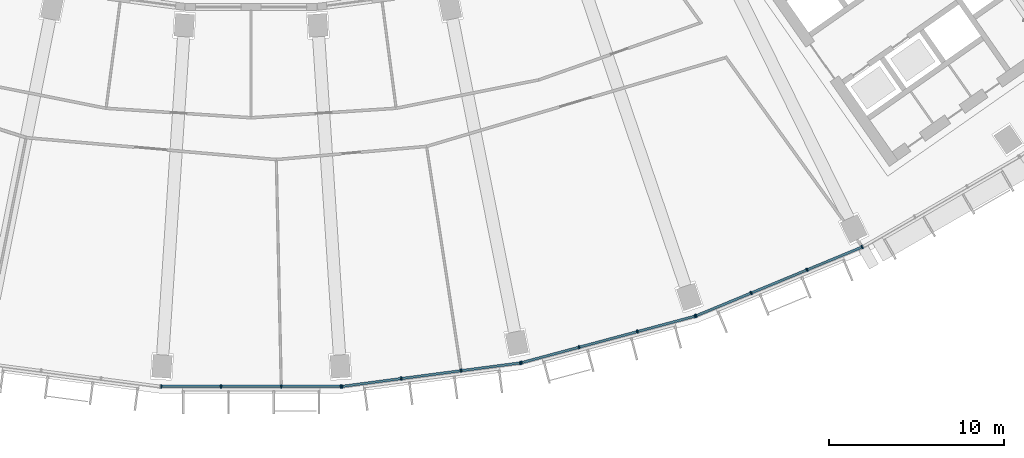
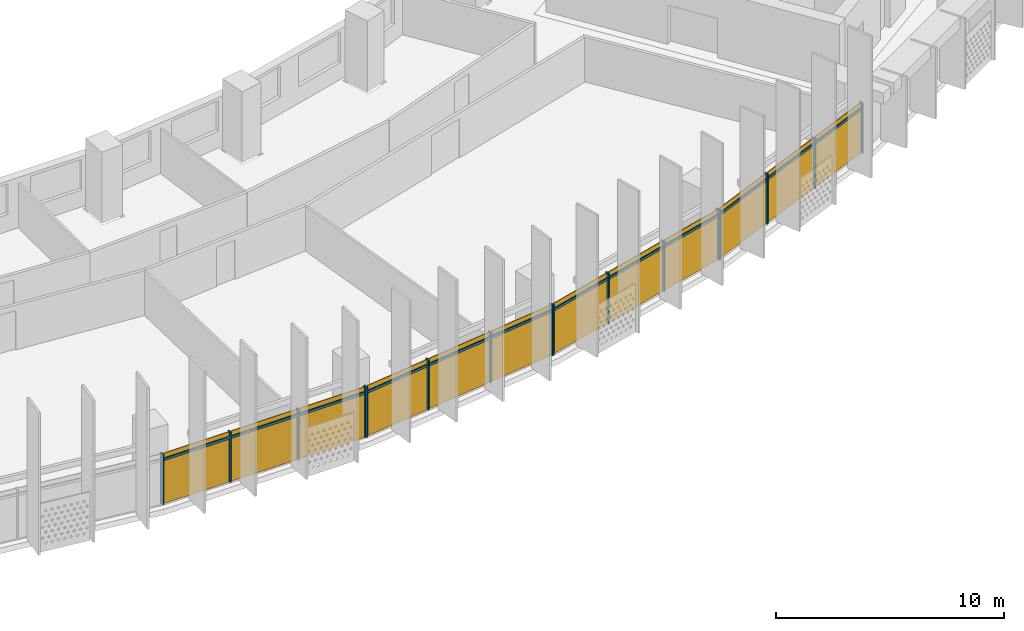
# One storey, part 19 of 31: 28 members, 4 curtain walls.
"""IFC4 building model written with IfcOpenShell, lengths in metres."""

from ifc_helpers import new_model, si_unit, direction, frame, origin, origin_2d, place, context, subcontext, project, spatial, rectangle, extrude, material, material_profile, profile_set, type_object, element, aggregate, save


model = new_model("IFC4")

# Units and contexts
model_context = context("Model", 3, precision=1e-05, world=origin(), true_north=direction((0.0, 1.0)))
body_context = subcontext(model_context, "Body", "Model", "MODEL_VIEW")
ifc_project = project(units=[si_unit("LENGTHUNIT", "METRE"), si_unit("AREAUNIT", "SQUARE_METRE"), si_unit("VOLUMEUNIT", "CUBIC_METRE"), si_unit("PLANEANGLEUNIT", "RADIAN"), si_unit("MASSUNIT", "GRAM", prefix="KILO")], contexts=[model_context])

# Member
ifc_material = material(Name="Aluminium 6063-T6 anodised", Category="aluminium")
ifc_material_profile_1 = material_profile(ifc_material, rectangle(XDim=0.199951171875, YDim=0.070068359375, at=origin_2d()))
ifc_profile_set_1 = profile_set([ifc_material_profile_1], Name="Aluminium 6063-T6 anodised")
member_type_1 = type_object("IfcMemberType", Name="Mullion 70 x 200 aluminium", PredefinedType="MULLION", material=ifc_profile_set_1)
site_placement = place(None, origin())
building_placement = place(site_placement, origin())
storey_placement = place(building_placement, frame((0.0, 0.0, 149.300048828125)))
member_1_placement = place(storey_placement, frame((-5.1318359375, -78.73095703125, 0.0), z_axis=(0.0, 0.0, 1.0), x_axis=(0.0, 1.0, 0.0)))
member_1 = element("IfcMember", 1, at=member_1_placement, type_object=member_type_1, Name="e-cw1-L34-out07/M00", PredefinedType="MULLION", context=body_context, shape_type="SweptSolid", body=[
    extrude(rectangle(XDim=0.199951171875, YDim=0.070068359375, at=origin_2d()), origin(), (0.0, 0.0, 1.0), 2.699951171875),
])

member_2_placement = place(storey_placement, frame((-1.72216796875, -78.73095703125, 0.0), z_axis=(0.0, 0.0, 1.0), x_axis=(0.0, 1.0, 0.0)))
member_2 = element("IfcMember", 2, at=member_2_placement, type_object=member_type_1, Name="e-cw1-L34-out07/M01", PredefinedType="MULLION", context=body_context, shape_type="SweptSolid", body=[
    extrude(rectangle(XDim=0.199951171875, YDim=0.070068359375, at=origin_2d()), origin(), (0.0, 0.0, 1.0), 2.699951171875),
])

member_3_placement = place(storey_placement, frame((1.72216796875, -78.73095703125, 0.0), z_axis=(0.0, 0.0, 1.0), x_axis=(0.0, 1.0, 0.0)))
member_3 = element("IfcMember", 3, at=member_3_placement, type_object=member_type_1, Name="e-cw1-L34-out07/M02", PredefinedType="MULLION", context=body_context, shape_type="SweptSolid", body=[
    extrude(rectangle(XDim=0.199951171875, YDim=0.070068359375, at=origin_2d()), origin(), (0.0, 0.0, 1.0), 2.699951171875),
])

member_4_placement = place(storey_placement, frame((5.1318359375, -78.73095703125, 0.0), z_axis=(0.0, 0.0, 1.0), x_axis=(0.0, 1.0, 0.0)))
member_4 = element("IfcMember", 4, at=member_4_placement, type_object=member_type_1, Name="e-cw1-L34-out07/M03", PredefinedType="MULLION", context=body_context, shape_type="SweptSolid", body=[
    extrude(rectangle(XDim=0.199951171875, YDim=0.070068359375, at=origin_2d()), origin(), (0.0, 0.0, 1.0), 2.699951171875),
])

member_5_placement = place(storey_placement, frame((5.1884765625, -78.72705078125, 0.0), z_axis=(0.0, 0.0, 1.0), x_axis=(-0.13052619222, 0.991444861374, 0.0)))
member_5 = element("IfcMember", 5, at=member_5_placement, type_object=member_type_1, Name="e-cw1-L34-out08/M00", PredefinedType="MULLION", context=body_context, shape_type="SweptSolid", body=[
    extrude(rectangle(XDim=0.199951171875, YDim=0.070068359375, at=origin_2d()), origin(), (0.0, 0.0, 1.0), 2.699951171875),
])

member_6_placement = place(storey_placement, frame((8.56884765625, -78.2822265625, 0.0), z_axis=(0.0, 0.0, 1.0), x_axis=(-0.13052619222, 0.991444861374, 0.0)))
member_6 = element("IfcMember", 6, at=member_6_placement, type_object=member_type_1, Name="e-cw1-L34-out08/M01", PredefinedType="MULLION", context=body_context, shape_type="SweptSolid", body=[
    extrude(rectangle(XDim=0.199951171875, YDim=0.070068359375, at=origin_2d()), origin(), (0.0, 0.0, 1.0), 2.699951171875),
])

member_7_placement = place(storey_placement, frame((11.98388671875, -77.83251953125, 0.0), z_axis=(0.0, 0.0, 1.0), x_axis=(-0.13052619222, 0.991444861374, 0.0)))
member_7 = element("IfcMember", 7, at=member_7_placement, type_object=member_type_1, Name="e-cw1-L34-out08/M02", PredefinedType="MULLION", context=body_context, shape_type="SweptSolid", body=[
    extrude(rectangle(XDim=0.199951171875, YDim=0.070068359375, at=origin_2d()), origin(), (0.0, 0.0, 1.0), 2.699951171875),
])

member_8_placement = place(storey_placement, frame((15.364501953125, -77.387451171875, 0.0), z_axis=(0.0, 0.0, 1.0), x_axis=(-0.13052619222, 0.991444861374, 0.0)))
member_8 = element("IfcMember", 8, at=member_8_placement, type_object=member_type_1, Name="e-cw1-L34-out08/M03", PredefinedType="MULLION", context=body_context, shape_type="SweptSolid", body=[
    extrude(rectangle(XDim=0.199951171875, YDim=0.070068359375, at=origin_2d()), origin(), (0.0, 0.0, 1.0), 2.699951171875),
])

member_9_placement = place(storey_placement, frame((15.420166015625, -77.37646484375, 0.0), z_axis=(0.0, 0.0, 1.0), x_axis=(-0.258819045103, 0.965925826289, 0.0)))
member_9 = element("IfcMember", 9, at=member_9_placement, type_object=member_type_1, Name="e-cw1-L34-out09/M00", PredefinedType="MULLION", context=body_context, shape_type="SweptSolid", body=[
    extrude(rectangle(XDim=0.199951171875, YDim=0.070068359375, at=origin_2d()), origin(), (0.0, 0.0, 1.0), 2.699951171875),
])

member_10_placement = place(storey_placement, frame((18.71337890625, -76.493896484375, 0.0), z_axis=(0.0, 0.0, 1.0), x_axis=(-0.258819045103, 0.965925826289, 0.0)))
member_10 = element("IfcMember", 10, at=member_10_placement, type_object=member_type_1, Name="e-cw1-L34-out09/M01", PredefinedType="MULLION", context=body_context, shape_type="SweptSolid", body=[
    extrude(rectangle(XDim=0.199951171875, YDim=0.070068359375, at=origin_2d()), origin(), (0.0, 0.0, 1.0), 2.699951171875),
])

member_11_placement = place(storey_placement, frame((22.04052734375, -75.602294921875, 0.0), z_axis=(0.0, 0.0, 1.0), x_axis=(-0.258819045103, 0.965925826289, 0.0)))
member_11 = element("IfcMember", 11, at=member_11_placement, type_object=member_type_1, Name="e-cw1-L34-out09/M02", PredefinedType="MULLION", context=body_context, shape_type="SweptSolid", body=[
    extrude(rectangle(XDim=0.199951171875, YDim=0.070068359375, at=origin_2d()), origin(), (0.0, 0.0, 1.0), 2.699951171875),
])

member_12_placement = place(storey_placement, frame((25.333984375, -74.719970703125, 0.0), z_axis=(0.0, 0.0, 1.0), x_axis=(-0.258819045103, 0.965925826289, 0.0)))
member_12 = element("IfcMember", 12, at=member_12_placement, type_object=member_type_1, Name="e-cw1-L34-out09/M03", PredefinedType="MULLION", context=body_context, shape_type="SweptSolid", body=[
    extrude(rectangle(XDim=0.199951171875, YDim=0.070068359375, at=origin_2d()), origin(), (0.0, 0.0, 1.0), 2.699951171875),
])

member_13_placement = place(storey_placement, frame((25.3876953125, -74.70166015625, 0.0), z_axis=(0.0, 0.0, 1.0), x_axis=(-0.382683432365, 0.923879532511, 0.0)))
member_13 = element("IfcMember", 13, at=member_13_placement, type_object=member_type_1, Name="e-cw1-L34-out10/M00", PredefinedType="MULLION", context=body_context, shape_type="SweptSolid", body=[
    extrude(rectangle(XDim=0.199951171875, YDim=0.070068359375, at=origin_2d()), origin(), (0.0, 0.0, 1.0), 2.699951171875),
])

member_14_placement = place(storey_placement, frame((28.537841796875, -73.39697265625, 0.0), z_axis=(0.0, 0.0, 1.0), x_axis=(-0.382683432365, 0.923879532511, 0.0)))
member_14 = element("IfcMember", 14, at=member_14_placement, type_object=member_type_1, Name="e-cw1-L34-out10/M01", PredefinedType="MULLION", context=body_context, shape_type="SweptSolid", body=[
    extrude(rectangle(XDim=0.199951171875, YDim=0.070068359375, at=origin_2d()), origin(), (0.0, 0.0, 1.0), 2.699951171875),
])

member_15_placement = place(storey_placement, frame((31.72021484375, -72.078857421875, 0.0), z_axis=(0.0, 0.0, 1.0), x_axis=(-0.382683432365, 0.923879532511, 0.0)))
member_15 = element("IfcMember", 15, at=member_15_placement, type_object=member_type_1, Name="e-cw1-L34-out10/M02", PredefinedType="MULLION", context=body_context, shape_type="SweptSolid", body=[
    extrude(rectangle(XDim=0.199951171875, YDim=0.070068359375, at=origin_2d()), origin(), (0.0, 0.0, 1.0), 2.699951171875),
])

member_16_placement = place(storey_placement, frame((34.8701171875, -70.77392578125, 0.0), z_axis=(0.0, 0.0, 1.0), x_axis=(-0.382683432365, 0.923879532511, 0.0)))
member_16 = element("IfcMember", 16, at=member_16_placement, type_object=member_type_1, Name="e-cw1-L34-out10/M03", PredefinedType="MULLION", context=body_context, shape_type="SweptSolid", body=[
    extrude(rectangle(XDim=0.199951171875, YDim=0.070068359375, at=origin_2d()), origin(), (0.0, 0.0, 1.0), 2.699951171875),
])

ifc_material_profile_2 = material_profile(ifc_material, rectangle(XDim=0.139892578125, YDim=0.1201171875, at=origin_2d()))
ifc_profile_set_2 = profile_set([ifc_material_profile_2], Name="Aluminium 6063-T6 anodised")
member_type_2 = type_object("IfcMemberType", Name="Transom 120 x 140 aluminium", PredefinedType="USERDEFINED", material=ifc_profile_set_2)
member_17_placement = place(storey_placement, frame((-5.096923828125, -78.73095703125, 2.39990234375), z_axis=(1.0, 0.0, 0.0), x_axis=(0.0, 1.0, 0.0)))
member_17 = element("IfcMember", 17, at=member_17_placement, type_object=member_type_2, Name="e-cw1-L34-out07/T00", ObjectType="TRANSOM", PredefinedType="USERDEFINED", context=body_context, shape_type="SweptSolid", body=[
    extrude(rectangle(XDim=0.139892578125, YDim=0.1201171875, at=origin_2d()), origin(), (0.0, 0.0, 1.0), 3.339599609375),
])

member_18_placement = place(storey_placement, frame((-1.687255859375, -78.73095703125, 2.39990234375), z_axis=(1.0, 0.0, 0.0), x_axis=(0.0, 1.0, 0.0)))
member_18 = element("IfcMember", 18, at=member_18_placement, type_object=member_type_2, Name="e-cw1-L34-out07/T01", ObjectType="TRANSOM", PredefinedType="USERDEFINED", context=body_context, shape_type="SweptSolid", body=[
    extrude(rectangle(XDim=0.139892578125, YDim=0.1201171875, at=origin_2d()), origin(), (0.0, 0.0, 1.0), 3.37451171875),
])

member_19_placement = place(storey_placement, frame((1.75732421875, -78.73095703125, 2.39990234375), z_axis=(1.0, 0.0, 0.0), x_axis=(0.0, 1.0, 0.0)))
member_19 = element("IfcMember", 19, at=member_19_placement, type_object=member_type_2, Name="e-cw1-L34-out07/T02", ObjectType="TRANSOM", PredefinedType="USERDEFINED", context=body_context, shape_type="SweptSolid", body=[
    extrude(rectangle(XDim=0.139892578125, YDim=0.1201171875, at=origin_2d()), origin(), (0.0, 0.0, 1.0), 3.339599609375),
])

member_20_placement = place(storey_placement, frame((5.22314453125, -78.72265625, 2.39990234375), z_axis=(0.991439857731, 0.130564193033, 0.0), x_axis=(-0.130564193033, 0.991439857731, 0.0)))
member_20 = element("IfcMember", 20, at=member_20_placement, type_object=member_type_2, Name="e-cw1-L34-out08/T00", ObjectType="TRANSOM", PredefinedType="USERDEFINED", context=body_context, shape_type="SweptSolid", body=[
    extrude(rectangle(XDim=0.139892578125, YDim=0.1201171875, at=origin_2d()), origin(), (0.0, 0.0, 1.0), 3.339599609375),
])

member_21_placement = place(storey_placement, frame((8.603515625, -78.277587890625, 2.39990234375), z_axis=(0.991446413845, 0.130514399487, 0.0), x_axis=(-0.130514399487, 0.991446413845, 0.0)))
member_21 = element("IfcMember", 21, at=member_21_placement, type_object=member_type_2, Name="e-cw1-L34-out08/T01", ObjectType="TRANSOM", PredefinedType="USERDEFINED", context=body_context, shape_type="SweptSolid", body=[
    extrude(rectangle(XDim=0.139892578125, YDim=0.1201171875, at=origin_2d()), origin(), (0.0, 0.0, 1.0), 3.37451171875),
])

member_22_placement = place(storey_placement, frame((12.018798828125, -77.827880859375, 2.39990234375), z_axis=(0.991448073325, 0.130501792706, 0.0), x_axis=(-0.130501792706, 0.991448073325, 0.0)))
member_22 = element("IfcMember", 22, at=member_22_placement, type_object=member_type_2, Name="e-cw1-L34-out08/T02", ObjectType="TRANSOM", PredefinedType="USERDEFINED", context=body_context, shape_type="SweptSolid", body=[
    extrude(rectangle(XDim=0.139892578125, YDim=0.1201171875, at=origin_2d()), origin(), (0.0, 0.0, 1.0), 3.33935546875),
])

member_23_placement = place(storey_placement, frame((15.453857421875, -77.367431640625, 2.39990234375), z_axis=(0.96591509168, 0.258859103886, 0.0), x_axis=(-0.258859103886, 0.96591509168, 0.0)))
member_23 = element("IfcMember", 23, at=member_23_placement, type_object=member_type_2, Name="e-cw1-L34-out09/T00", ObjectType="TRANSOM", PredefinedType="USERDEFINED", context=body_context, shape_type="SweptSolid", body=[
    extrude(rectangle(XDim=0.139892578125, YDim=0.1201171875, at=origin_2d()), origin(), (0.0, 0.0, 1.0), 3.339599609375),
])

member_24_placement = place(storey_placement, frame((18.747314453125, -76.48486328125, 2.39990234375), z_axis=(0.965932873966, 0.258792741381, 0.0), x_axis=(-0.258792741381, 0.965932873966, 0.0)))
member_24 = element("IfcMember", 24, at=member_24_placement, type_object=member_type_2, Name="e-cw1-L34-out09/T01", ObjectType="TRANSOM", PredefinedType="USERDEFINED", context=body_context, shape_type="SweptSolid", body=[
    extrude(rectangle(XDim=0.139892578125, YDim=0.1201171875, at=origin_2d()), origin(), (0.0, 0.0, 1.0), 3.37451171875),
])

member_25_placement = place(storey_placement, frame((22.074462890625, -75.59326171875, 2.39990234375), z_axis=(0.965933368091, 0.258790897074, 0.0), x_axis=(-0.258790897074, 0.965933368091, 0.0)))
member_25 = element("IfcMember", 25, at=member_25_placement, type_object=member_type_2, Name="e-cw1-L34-out09/T02", ObjectType="TRANSOM", PredefinedType="USERDEFINED", context=body_context, shape_type="SweptSolid", body=[
    extrude(rectangle(XDim=0.139892578125, YDim=0.1201171875, at=origin_2d()), origin(), (0.0, 0.0, 1.0), 3.339599609375),
])

member_26_placement = place(storey_placement, frame((25.420166015625, -74.688232421875, 2.39990234375), z_axis=(0.923890305385, 0.382657423311, 0.0), x_axis=(-0.382657423311, 0.923890305385, 0.0)))
member_26 = element("IfcMember", 26, at=member_26_placement, type_object=member_type_2, Name="e-cw1-L34-out10/T00", ObjectType="TRANSOM", PredefinedType="USERDEFINED", context=body_context, shape_type="SweptSolid", body=[
    extrude(rectangle(XDim=0.139892578125, YDim=0.1201171875, at=origin_2d()), origin(), (0.0, 0.0, 1.0), 3.33935546875),
])

member_27_placement = place(storey_placement, frame((28.570068359375, -73.383544921875, 2.39990234375), z_axis=(0.923866926753, 0.382713863941, 0.0), x_axis=(-0.382713863941, 0.923866926753, 0.0)))
member_27 = element("IfcMember", 27, at=member_27_placement, type_object=member_type_2, Name="e-cw1-L34-out10/T01", ObjectType="TRANSOM", PredefinedType="USERDEFINED", context=body_context, shape_type="SweptSolid", body=[
    extrude(rectangle(XDim=0.139892578125, YDim=0.1201171875, at=origin_2d()), origin(), (0.0, 0.0, 1.0), 3.37451171875),
])

member_28_placement = place(storey_placement, frame((31.75244140625, -72.0654296875, 2.39990234375), z_axis=(0.923875164544, 0.382693977401, 0.0), x_axis=(-0.382693977401, 0.923875164544, 0.0)))
member_28 = element("IfcMember", 28, at=member_28_placement, type_object=member_type_2, Name="e-cw1-L34-out10/T02", ObjectType="TRANSOM", PredefinedType="USERDEFINED", context=body_context, shape_type="SweptSolid", body=[
    extrude(rectangle(XDim=0.139892578125, YDim=0.1201171875, at=origin_2d()), origin(), (0.0, 0.0, 1.0), 3.339599609375),
])

# Site, building, storey
site = spatial("IfcSite", under=ifc_project, at=site_placement, CompositionType="ELEMENT")
building = spatial("IfcBuilding", under=site, at=building_placement, Name="Qamariyya Broadcast Tower", CompositionType="ELEMENT")
storey = spatial("IfcBuildingStorey", under=building, at=storey_placement, Name="L34", CompositionType="ELEMENT", Elevation=149.300048828125)

# Curtain wall
curtain_wall_type = type_object("IfcCurtainWallType", Name="Unitised curtain wall, anodised aluminium", PredefinedType="NOTDEFINED", material=ifc_material)
curtain_wall_1_placement = place(storey_placement, origin())
curtain_wall_1 = element("IfcCurtainWall", 29, at=curtain_wall_1_placement, inside=storey, type_object=curtain_wall_type, Name="e-cw1-L34-out07", PredefinedType="NOTDEFINED", context=body_context, shape_type="SweptSolid", body=[
    extrude(rectangle(XDim=3.339599609375, YDim=0.031982421875, at=origin_2d()), frame((-3.427001953125, -78.73095703125, 0.0), x_axis=(1.0, 0.0, 0.0)), (0.0, 0.0, 1.0), 2.340087890625),
    extrude(rectangle(XDim=3.339599609375, YDim=0.031982421875, at=origin_2d()), frame((-3.427001953125, -78.73095703125, 2.4599609375), x_axis=(1.0, 0.0, 0.0)), (0.0, 0.0, 1.0), 0.239990234375),
    extrude(rectangle(XDim=3.37451171875, YDim=0.031982421875, at=origin_2d()), frame((0.0, -78.73095703125, 0.0), x_axis=(1.0, 0.0, 0.0)), (0.0, 0.0, 1.0), 2.340087890625),
    extrude(rectangle(XDim=3.37451171875, YDim=0.031982421875, at=origin_2d()), frame((0.0, -78.73095703125, 2.4599609375), x_axis=(1.0, 0.0, 0.0)), (0.0, 0.0, 1.0), 0.239990234375),
    extrude(rectangle(XDim=3.339599609375, YDim=0.031982421875, at=origin_2d()), frame((3.427001953125, -78.73095703125, 0.0), x_axis=(1.0, 0.0, 0.0)), (0.0, 0.0, 1.0), 2.340087890625),
    extrude(rectangle(XDim=3.339599609375, YDim=0.031982421875, at=origin_2d()), frame((3.427001953125, -78.73095703125, 2.4599609375), x_axis=(1.0, 0.0, 0.0)), (0.0, 0.0, 1.0), 0.239990234375),
])

aggregate(curtain_wall_1, [member_1, member_2, member_3, member_4, member_17, member_18, member_19])

curtain_wall_2_placement = place(storey_placement, origin())
curtain_wall_2 = element("IfcCurtainWall", 30, at=curtain_wall_2_placement, inside=storey, type_object=curtain_wall_type, Name="e-cw1-L34-out08", PredefinedType="NOTDEFINED", context=body_context, shape_type="SweptSolid", body=[
    extrude(rectangle(XDim=3.339599609375, YDim=0.031982421875, at=origin_2d()), frame((6.878662109375, -78.504638671875, 0.0), x_axis=(0.991444240905, 0.130530905064, 0.0)), (0.0, 0.0, 1.0), 2.340087890625),
    extrude(rectangle(XDim=3.339599609375, YDim=0.031982421875, at=origin_2d()), frame((6.878662109375, -78.504638671875, 2.4599609375), x_axis=(0.991444240905, 0.130530905064, 0.0)), (0.0, 0.0, 1.0), 0.239990234375),
    extrude(rectangle(XDim=3.37451171875, YDim=0.031982421875, at=origin_2d()), frame((10.2763671875, -78.05712890625, 0.0), x_axis=(0.991444240905, 0.130530905064, 0.0)), (0.0, 0.0, 1.0), 2.340087890625),
    extrude(rectangle(XDim=3.37451171875, YDim=0.031982421875, at=origin_2d()), frame((10.2763671875, -78.05712890625, 2.4599609375), x_axis=(0.991444240905, 0.130530905064, 0.0)), (0.0, 0.0, 1.0), 0.239990234375),
    extrude(rectangle(XDim=3.339599609375, YDim=0.031982421875, at=origin_2d()), frame((13.67431640625, -77.60986328125, 0.0), x_axis=(0.991444240905, 0.130530905064, 0.0)), (0.0, 0.0, 1.0), 2.340087890625),
    extrude(rectangle(XDim=3.339599609375, YDim=0.031982421875, at=origin_2d()), frame((13.67431640625, -77.60986328125, 2.4599609375), x_axis=(0.991444240905, 0.130530905064, 0.0)), (0.0, 0.0, 1.0), 0.239990234375),
])

aggregate(curtain_wall_2, [member_5, member_6, member_7, member_8, member_20, member_21, member_22])

curtain_wall_3_placement = place(storey_placement, origin())
curtain_wall_3 = element("IfcCurtainWall", 31, at=curtain_wall_3_placement, inside=storey, type_object=curtain_wall_type, Name="e-cw1-L34-out09", PredefinedType="NOTDEFINED", context=body_context, shape_type="SweptSolid", body=[
    extrude(rectangle(XDim=3.339599609375, YDim=0.031982421875, at=origin_2d()), frame((17.066650390625, -76.935302734375, 0.0), x_axis=(0.965926433062, 0.258816780584, 0.0)), (0.0, 0.0, 1.0), 2.340087890625),
    extrude(rectangle(XDim=3.339599609375, YDim=0.031982421875, at=origin_2d()), frame((17.066650390625, -76.935302734375, 2.4599609375), x_axis=(0.965926433062, 0.258816780584, 0.0)), (0.0, 0.0, 1.0), 0.239990234375),
    extrude(rectangle(XDim=3.37451171875, YDim=0.031982421875, at=origin_2d()), frame((20.376953125, -76.04833984375, 0.0), x_axis=(0.965926433062, 0.258816780584, 0.0)), (0.0, 0.0, 1.0), 2.340087890625),
    extrude(rectangle(XDim=3.37451171875, YDim=0.031982421875, at=origin_2d()), frame((20.376953125, -76.04833984375, 2.4599609375), x_axis=(0.965926433062, 0.258816780584, 0.0)), (0.0, 0.0, 1.0), 0.239990234375),
    extrude(rectangle(XDim=3.339599609375, YDim=0.031982421875, at=origin_2d()), frame((23.6875, -75.1611328125, 0.0), x_axis=(0.965926433062, 0.258816780584, 0.0)), (0.0, 0.0, 1.0), 2.340087890625),
    extrude(rectangle(XDim=3.339599609375, YDim=0.031982421875, at=origin_2d()), frame((23.6875, -75.1611328125, 2.4599609375), x_axis=(0.965926433062, 0.258816780584, 0.0)), (0.0, 0.0, 1.0), 0.239990234375),
])

aggregate(curtain_wall_3, [member_9, member_10, member_11, member_12, member_23, member_24, member_25])

curtain_wall_4_placement = place(storey_placement, origin())
curtain_wall_4 = element("IfcCurtainWall", 32, at=curtain_wall_4_placement, inside=storey, type_object=curtain_wall_type, Name="e-cw1-L34-out10", PredefinedType="NOTDEFINED", context=body_context, shape_type="SweptSolid", body=[
    extrude(rectangle(XDim=3.339599609375, YDim=0.031982421875, at=origin_2d()), frame((26.962890625, -74.04931640625, 0.0), x_axis=(0.923878040314, 0.382687034829, 0.0)), (0.0, 0.0, 1.0), 2.340087890625),
    extrude(rectangle(XDim=3.339599609375, YDim=0.031982421875, at=origin_2d()), frame((26.962890625, -74.04931640625, 2.4599609375), x_axis=(0.923878040314, 0.382687034829, 0.0)), (0.0, 0.0, 1.0), 0.239990234375),
    extrude(rectangle(XDim=3.37451171875, YDim=0.031982421875, at=origin_2d()), frame((30.12890625, -72.73779296875, 0.0), x_axis=(0.923878040314, 0.382687034829, 0.0)), (0.0, 0.0, 1.0), 2.340087890625),
    extrude(rectangle(XDim=3.37451171875, YDim=0.031982421875, at=origin_2d()), frame((30.12890625, -72.73779296875, 2.4599609375), x_axis=(0.923878040314, 0.382687034829, 0.0)), (0.0, 0.0, 1.0), 0.239990234375),
    extrude(rectangle(XDim=3.339599609375, YDim=0.031982421875, at=origin_2d()), frame((33.295166015625, -71.42626953125, 0.0), x_axis=(0.923878040314, 0.382687034829, 0.0)), (0.0, 0.0, 1.0), 2.340087890625),
    extrude(rectangle(XDim=3.339599609375, YDim=0.031982421875, at=origin_2d()), frame((33.295166015625, -71.42626953125, 2.4599609375), x_axis=(0.923878040314, 0.382687034829, 0.0)), (0.0, 0.0, 1.0), 0.239990234375),
])

aggregate(curtain_wall_4, [member_13, member_14, member_15, member_16, member_26, member_27, member_28])

save(model, "model.ifc")
